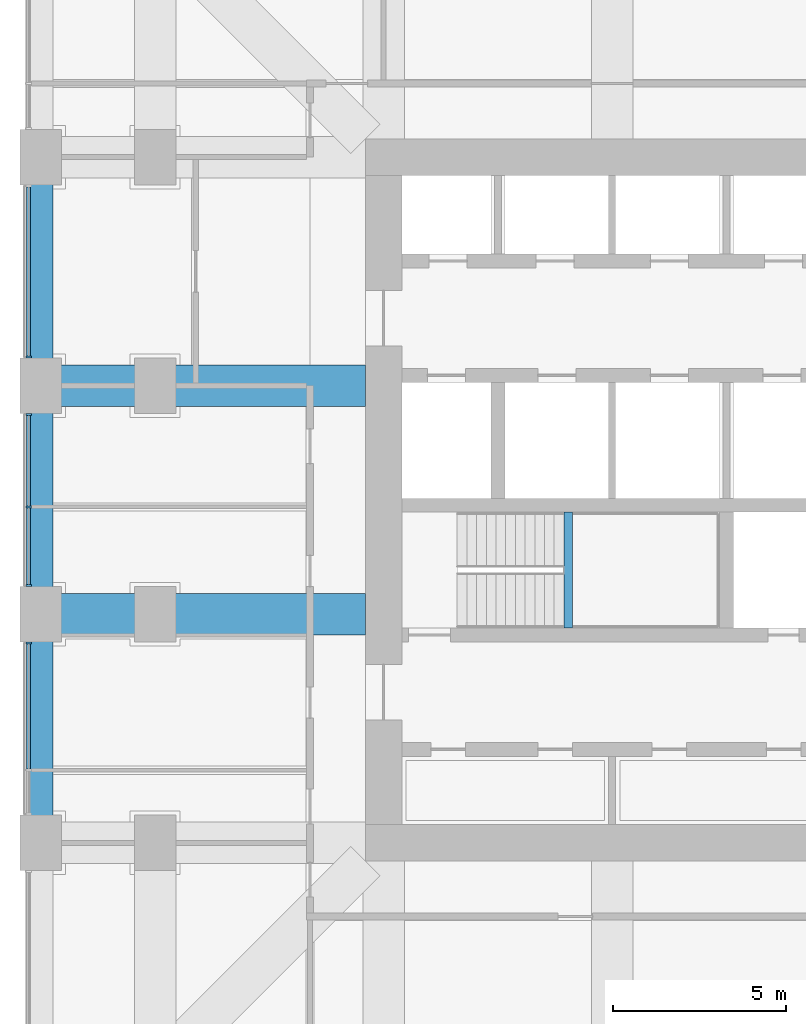
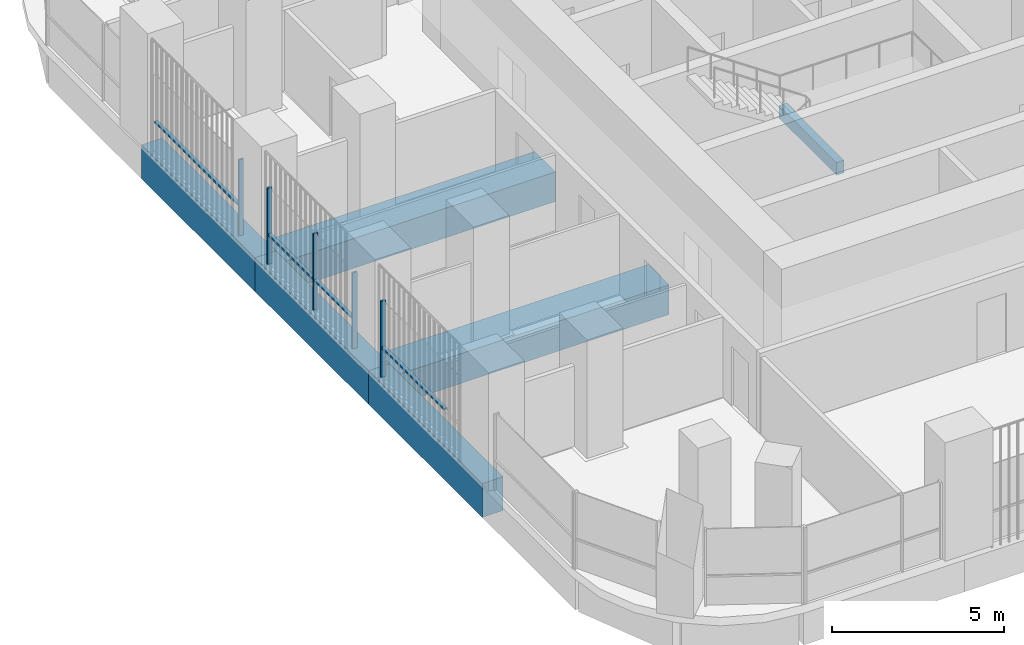
# One storey, part 4 of 19: 9 members, 6 beams, 3 elements without a shape of their own.
"""IFC4 building model written with IfcOpenShell, lengths in metres."""

from ifc_helpers import new_model, si_unit, direction, frame, origin, origin_2d, place, context, subcontext, project, spatial, rectangle, extrude, material, material_profile, profile_set, type_object, element, aggregate, save


model = new_model("IFC4")

# Units and contexts
model_context = context("Model", 3, precision=1e-05, world=origin(), true_north=direction((0.0, 1.0)))
body_context = subcontext(model_context, "Body", "Model", "MODEL_VIEW")
ifc_project = project(units=[si_unit("LENGTHUNIT", "METRE"), si_unit("AREAUNIT", "SQUARE_METRE"), si_unit("VOLUMEUNIT", "CUBIC_METRE"), si_unit("PLANEANGLEUNIT", "RADIAN"), si_unit("MASSUNIT", "GRAM", prefix="KILO")], contexts=[model_context])

# Site, building, storey
site_placement = place(None, origin())
site = spatial("IfcSite", under=ifc_project, at=site_placement, CompositionType="ELEMENT")
building_placement = place(site_placement, origin())
building = spatial("IfcBuilding", under=site, at=building_placement, Name="Cobogo Forest Laboratory Tower", CompositionType="ELEMENT")
storey_placement = place(building_placement, frame((0.0, 0.0, 172.5)))
storey = spatial("IfcBuildingStorey", under=building, at=storey_placement, Name="L39", CompositionType="ELEMENT", Elevation=172.5)

# Beams
ifc_material_1 = material(Name="Concrete HA-40 (C40/50)", Category="concrete")
ifc_material_profile_1 = material_profile(ifc_material_1, rectangle(XDim=0.25, YDim=0.449951171875, at=origin_2d()), Name="RC 250x450")
ifc_profile_set_1 = profile_set([ifc_material_profile_1], Name="Concrete HA-40 (C40/50)")
beam_type_1 = type_object("IfcBeamType", Name="LB1 landing beam 250x450", PredefinedType="BEAM", material=ifc_profile_set_1)
beam_1_placement = place(storey_placement, frame((18.530029296875, 19.39990234375, 1.675048828125), z_axis=(0.0, 1.0, 0.0), x_axis=(-1.0, 0.0, 0.0)))
element("IfcBeam", 1, at=beam_1_placement, inside=storey, type_object=beam_type_1, Name="Landing beam ST1 L39", PredefinedType="BEAM", context=body_context, shape_type="SweptSolid", body=[
    extrude(rectangle(XDim=0.25, YDim=0.449951171875, at=origin_2d()), origin(), (0.0, 0.0, 1.0), 3.35009765625),
])
ifc_material_profile_2 = material_profile(ifc_material_1, rectangle(XDim=1.199951171875, YDim=1.050048828125, at=origin_2d()), Name="RC 1200x1050")
ifc_profile_set_2 = profile_set([ifc_material_profile_2], Name="Concrete HA-40 (C40/50)")
beam_type_2 = type_object("IfcBeamType", Name="Laboratory floor wide beam 1200x1050", PredefinedType="BEAM", material=ifc_profile_set_2)
for number, where, z_axis, x_axis, name in (
    (2, (12.675048828125, 19.800048828125, -0.824951171875), (-1.0, 0.0, 0.0), (0.0, -1.0, 0.0), "RB1 R-D-W L39"),
    (3, (12.675048828125, 26.39990234375, -0.824951171875), (-1.0, 0.0, 0.0), (0.0, -1.0, 0.0), "RB1 R-E-W L39"),
):
    element("IfcBeam", number, at=place(storey_placement, frame(where, z_axis=z_axis, x_axis=x_axis)), inside=storey, type_object=beam_type_2, Name=name, PredefinedType="BEAM", context=body_context, shape_type="SweptSolid", body=[
        extrude(rectangle(XDim=1.199951171875, YDim=1.050048828125, at=origin_2d()), origin(), (0.0, 0.0, 1.0), 9.375),
    ])

# Curtain wall, member
ifc_material_2 = material(Name="Aluminium curtain wall", Category="aluminium")
curtain_wall_type = type_object("IfcCurtainWallType", Name="CW-2 unitised curtain wall, solar control glazing, laboratory floors zones C and D", PredefinedType="USERDEFINED", material=ifc_material_2)
curtain_wall_1_placement = place(storey_placement, origin())
curtain_wall_1 = element("IfcCurtainWall", 4, at=curtain_wall_1_placement, inside=storey, type_object=curtain_wall_type, Name="Curtain wall 25 L39", ObjectType="UNITISED CURTAIN WALL", PredefinedType="USERDEFINED")
ifc_material_3 = material(Name="Aluminium mullion", Category="aluminium")
ifc_material_profile_3 = material_profile(ifc_material_3, rectangle(XDim=0.06005859375, YDim=0.159912109375, at=origin_2d()), Name="AL 60x160")
ifc_profile_set_3 = profile_set([ifc_material_profile_3], Name="Aluminium mullion")
member_type_1 = type_object("IfcMemberType", Name="MU-1 aluminium mullion 60x160", PredefinedType="MULLION", material=ifc_profile_set_3)
member_1_placement = place(storey_placement, frame((2.949951171875, 27.22998046875, 0.0), z_axis=(0.0, 0.0, 1.0), x_axis=(0.0, -1.0, 0.0)))
member_1 = element("IfcMember", 5, at=member_1_placement, type_object=member_type_1, Name="CW-2 mullion 2", PredefinedType="MULLION", context=body_context, shape_type="SweptSolid", body=[
    extrude(rectangle(XDim=0.06005859375, YDim=0.159912109375, at=origin_2d()), origin(), (0.0, 0.0, 1.0), 2.699951171875),
])

# Curtain wall, members
curtain_wall_2_placement = place(storey_placement, origin())
curtain_wall_2 = element("IfcCurtainWall", 6, at=curtain_wall_2_placement, inside=storey, type_object=curtain_wall_type, Name="Curtain wall 26 L39", ObjectType="UNITISED CURTAIN WALL", PredefinedType="USERDEFINED")
member_2_placement = place(storey_placement, frame((2.949951171875, 25.570068359375, 0.0), z_axis=(0.0, 0.0, 1.0), x_axis=(0.0, -1.0, 0.0)))
member_2 = element("IfcMember", 7, at=member_2_placement, type_object=member_type_1, Name="CW-2 mullion 1", PredefinedType="MULLION", context=body_context, shape_type="SweptSolid", body=[
    extrude(rectangle(XDim=0.06005859375, YDim=0.159912109375, at=origin_2d()), origin(), (0.0, 0.0, 1.0), 2.699951171875),
])
member_3_placement = place(storey_placement, frame((2.949951171875, 22.89990234375, 0.0), z_axis=(0.0, 0.0, 1.0), x_axis=(0.0, -1.0, 0.0)))
member_3 = element("IfcMember", 8, at=member_3_placement, type_object=member_type_1, Name="CW-2 mullion 2", PredefinedType="MULLION", context=body_context, shape_type="SweptSolid", body=[
    extrude(rectangle(XDim=0.06005859375, YDim=0.159912109375, at=origin_2d()), origin(), (0.0, 0.0, 1.0), 2.699951171875),
])
member_4_placement = place(storey_placement, frame((2.949951171875, 20.6298828125, 0.0), z_axis=(0.0, 0.0, 1.0), x_axis=(0.0, -1.0, 0.0)))
member_4 = element("IfcMember", 9, at=member_4_placement, type_object=member_type_1, Name="CW-2 mullion 3", PredefinedType="MULLION", context=body_context, shape_type="SweptSolid", body=[
    extrude(rectangle(XDim=0.06005859375, YDim=0.159912109375, at=origin_2d()), origin(), (0.0, 0.0, 1.0), 2.699951171875),
])

# Curtain wall, member
curtain_wall_3_placement = place(storey_placement, origin())
curtain_wall_3 = element("IfcCurtainWall", 10, at=curtain_wall_3_placement, inside=storey, type_object=curtain_wall_type, Name="Curtain wall 27 L39", ObjectType="UNITISED CURTAIN WALL", PredefinedType="USERDEFINED")
member_5_placement = place(storey_placement, frame((2.949951171875, 18.969970703125, 0.0), z_axis=(0.0, 0.0, 1.0), x_axis=(0.0, -1.0, 0.0)))
member_5 = element("IfcMember", 11, at=member_5_placement, type_object=member_type_1, Name="CW-2 mullion 1", PredefinedType="MULLION", context=body_context, shape_type="SweptSolid", body=[
    extrude(rectangle(XDim=0.06005859375, YDim=0.159912109375, at=origin_2d()), origin(), (0.0, 0.0, 1.0), 2.699951171875),
])

# Beams
ifc_material_profile_4 = material_profile(ifc_material_1, rectangle(XDim=0.699951171875, YDim=1.199951171875, at=origin_2d()), Name="RC 700x1200")
ifc_profile_set_4 = profile_set([ifc_material_profile_4], Name="Concrete HA-40 (C40/50)")
beam_type_3 = type_object("IfcBeamType", Name="Perimeter edge beam 700x1200", PredefinedType="BEAM", material=ifc_profile_set_4)
beam_2_placement = place(storey_placement, frame((3.300048828125, 13.199951171875, -0.89990234375), z_axis=(0.0, 1.0, 0.0), x_axis=(-1.0, 0.0, 0.0)))
element("IfcBeam", 12, at=beam_2_placement, inside=storey, type_object=beam_type_3, Name="EB1 E-W1 L39", PredefinedType="BEAM", context=body_context, shape_type="SweptSolid", body=[
    extrude(rectangle(XDim=0.699951171875, YDim=1.199951171875, at=origin_2d()), origin(), (0.0, 0.0, 1.0), 6.60009765625),
])
beam_3_placement = place(storey_placement, frame((3.300048828125, 19.800048828125, -0.89990234375), z_axis=(0.0, 1.0, 0.0), x_axis=(-1.0, 0.0, 0.0)))
element("IfcBeam", 13, at=beam_3_placement, inside=storey, type_object=beam_type_3, Name="EB1 E-W2 L39", PredefinedType="BEAM", context=body_context, shape_type="SweptSolid", body=[
    extrude(rectangle(XDim=0.699951171875, YDim=1.199951171875, at=origin_2d()), origin(), (0.0, 0.0, 1.0), 6.599853515625),
])
beam_4_placement = place(storey_placement, frame((3.300048828125, 26.39990234375, -0.89990234375), z_axis=(0.0, 1.0, 0.0), x_axis=(-1.0, 0.0, 0.0)))
element("IfcBeam", 14, at=beam_4_placement, inside=storey, type_object=beam_type_3, Name="EB1 E-W3 L39", PredefinedType="BEAM", context=body_context, shape_type="SweptSolid", body=[
    extrude(rectangle(XDim=0.699951171875, YDim=1.199951171875, at=origin_2d()), origin(), (0.0, 0.0, 1.0), 6.60009765625),
])

# Member
ifc_material_4 = material(Name="Aluminium transom", Category="aluminium")
ifc_material_profile_5 = material_profile(ifc_material_4, rectangle(XDim=0.1201171875, YDim=0.06005859375, at=origin_2d()), Name="AL 60x120")
ifc_profile_set_5 = profile_set([ifc_material_profile_5], Name="Aluminium transom")
member_type_2 = type_object("IfcMemberType", Name="TR-1 aluminium transom 60x120", PredefinedType="USERDEFINED", material=ifc_profile_set_5)
member_6_placement = place(storey_placement, frame((2.949951171875, 32.139892578125, 1.050048828125), z_axis=(0.0, -1.0, 0.0), x_axis=(1.0, 0.0, 0.0)))
member_6 = element("IfcMember", 15, at=member_6_placement, type_object=member_type_2, Name="CW-2 transom 1.1", ObjectType="TRANSOM", PredefinedType="USERDEFINED", context=body_context, shape_type="SweptSolid", body=[
    extrude(rectangle(XDim=0.1201171875, YDim=0.06005859375, at=origin_2d()), origin(), (0.0, 0.0, 1.0), 4.8798828125),
])

aggregate(curtain_wall_1, [member_1, member_6])

member_7_placement = place(storey_placement, frame((2.949951171875, 25.5400390625, 1.050048828125), z_axis=(0.0, -1.0, 0.0), x_axis=(1.0, 0.0, 0.0)))
member_7 = element("IfcMember", 16, at=member_7_placement, type_object=member_type_2, Name="CW-2 transom 1.1", ObjectType="TRANSOM", PredefinedType="USERDEFINED", context=body_context, shape_type="SweptSolid", body=[
    extrude(rectangle(XDim=0.1201171875, YDim=0.06005859375, at=origin_2d()), origin(), (0.0, 0.0, 1.0), 2.610107421875),
])

member_8_placement = place(storey_placement, frame((2.949951171875, 22.8701171875, 1.050048828125), z_axis=(0.0, -1.0, 0.0), x_axis=(1.0, 0.0, 0.0)))
member_8 = element("IfcMember", 17, at=member_8_placement, type_object=member_type_2, Name="CW-2 transom 2.1", ObjectType="TRANSOM", PredefinedType="USERDEFINED", context=body_context, shape_type="SweptSolid", body=[
    extrude(rectangle(XDim=0.1201171875, YDim=0.06005859375, at=origin_2d()), origin(), (0.0, 0.0, 1.0), 2.210205078125),
])

aggregate(curtain_wall_2, [member_2, member_3, member_4, member_7, member_8])

member_9_placement = place(storey_placement, frame((2.949951171875, 18.93994140625, 1.050048828125), z_axis=(0.0, -1.0, 0.0), x_axis=(1.0, 0.0, 0.0)))
member_9 = element("IfcMember", 18, at=member_9_placement, type_object=member_type_2, Name="CW-2 transom 1.1", ObjectType="TRANSOM", PredefinedType="USERDEFINED", context=body_context, shape_type="SweptSolid", body=[
    extrude(rectangle(XDim=0.1201171875, YDim=0.06005859375, at=origin_2d()), origin(), (0.0, 0.0, 1.0), 3.60986328125),
])

aggregate(curtain_wall_3, [member_5, member_9])

save(model, "model.ifc")
